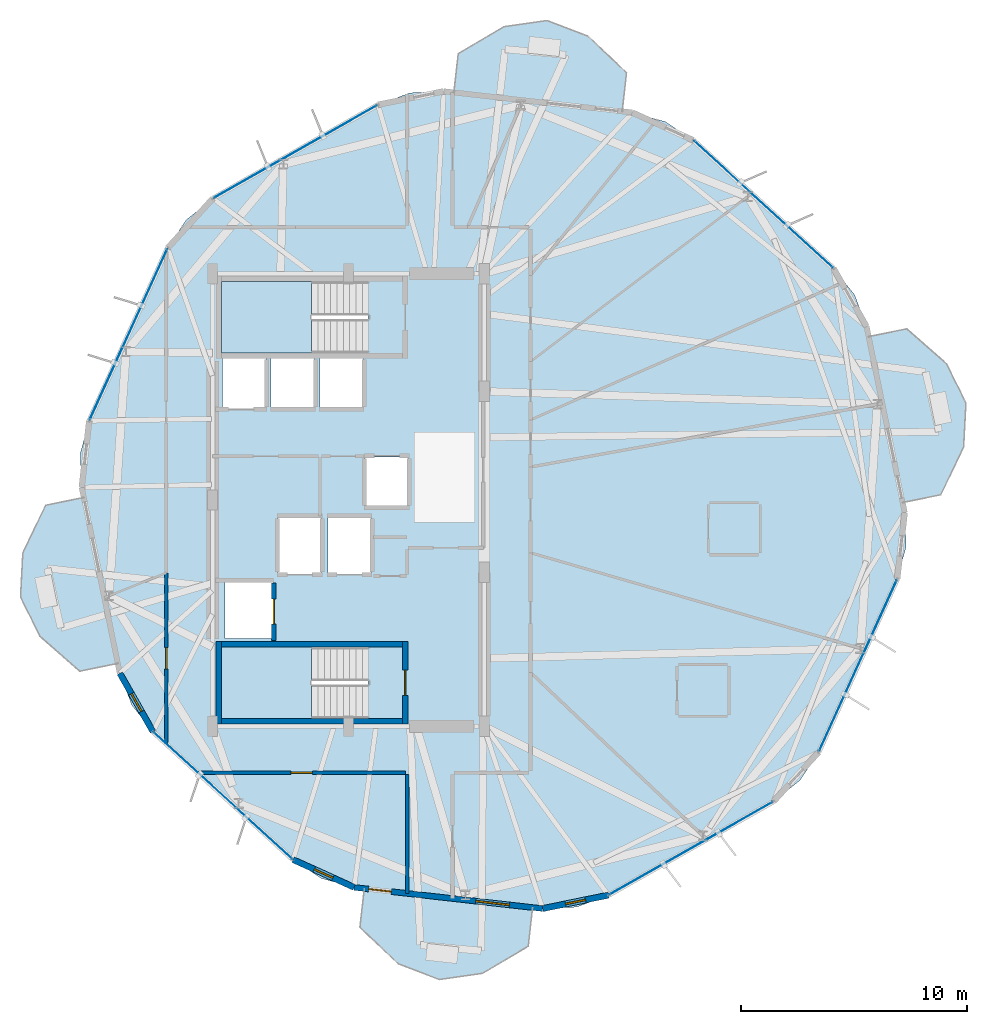
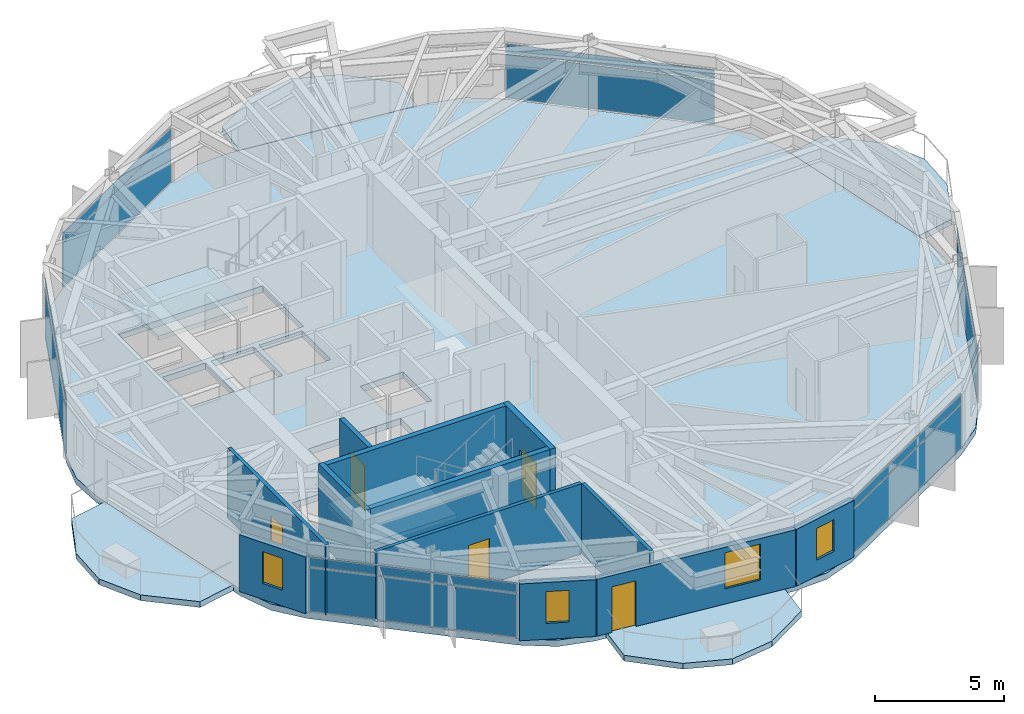
# One storey, part 16 of 22: 12 plates, 12 walls, 7 slabs, 5 doors, 4 windows, 9 openings, 8 elements without a shape of their own.
"""IFC4 building model written with IfcOpenShell, lengths in metres."""

from ifc_helpers import new_model, si_unit, direction, frame, frame_2d, origin, origin_2d, place, context, subcontext, project, spatial, polyline, rectangle, outline, extrude, material, layer, layer_set, type_object, element, fill, aggregate, save


model = new_model("IFC4")

# Units and contexts
model_context = context("Model", 3, precision=1e-05, world=origin(), true_north=direction((0.0, 1.0)))
body_context = subcontext(model_context, "Body", "Model", "MODEL_VIEW")
ifc_project = project(units=[si_unit("LENGTHUNIT", "METRE"), si_unit("AREAUNIT", "SQUARE_METRE"), si_unit("VOLUMEUNIT", "CUBIC_METRE"), si_unit("PLANEANGLEUNIT", "RADIAN"), si_unit("MASSUNIT", "GRAM", prefix="KILO")], contexts=[model_context])

# Site, building, storey
site_placement = place(None, origin())
site = spatial("IfcSite", under=ifc_project, at=site_placement, CompositionType="ELEMENT")
building_placement = place(site_placement, origin())
building = spatial("IfcBuilding", under=site, at=building_placement, Name="Soratama Intermodal Tower", CompositionType="ELEMENT")
storey_placement = place(building_placement, frame((0.0, 0.0, 142.60009765625)))
storey = spatial("IfcBuildingStorey", under=building, at=storey_placement, Name="L34", CompositionType="ELEMENT", Elevation=142.60009765625)

# Curtain wall, plates
ifc_material_1 = material(Name="Double-glazed aluminium curtain wall", Category="aluminium")
ifc_layer_1 = layer(ifc_material_1, 0.159912109375)
ifc_layer_set_1 = layer_set([ifc_layer_1], Name="Double-glazed aluminium curtain wall")
curtain_wall_type = type_object("IfcCurtainWallType", Name="CW-SYS-4", PredefinedType="NOTDEFINED", material=ifc_layer_set_1)
curtain_wall_1_placement = place(storey_placement, origin())
curtain_wall_1 = element("IfcCurtainWall", 1, at=curtain_wall_1_placement, inside=storey, type_object=curtain_wall_type, Name="L34 Faceted Curtain Wall F01", PredefinedType="NOTDEFINED")
ifc_material_2 = material(Name="Low-E laminated double glazing", Category="glass")
ifc_layer_2 = layer(ifc_material_2, 0.02392578125)
ifc_layer_set_2 = layer_set([ifc_layer_2], Name="Low-E laminated double glazing")
plate_type = type_object("IfcPlateType", Name="PT-CWP-4", PredefinedType="CURTAIN_PANEL", material=ifc_layer_set_2)
plate_1_placement = place(storey_placement, frame((56.940185546875, 38.067138671875, 0.059814453125), z_axis=(0.0, 0.0, 1.0), x_axis=(-0.738220738678, 0.674559219776, 0.0)))
plate_1 = element("IfcPlate", 2, at=plate_1_placement, type_object=plate_type, Name="CW-4 panel 1.1", PredefinedType="CURTAIN_PANEL", context=body_context, shape_type="SweptSolid", body=[
    extrude(rectangle(XDim=8.263427734375, YDim=0.028076171875, at=origin_2d()), origin(), (0.0, 0.0, 1.0), 2.06005859375),
])
plate_2_placement = place(storey_placement, frame((56.940185546875, 38.067138671875, 2.179931640625), z_axis=(0.0, 0.0, 1.0), x_axis=(-0.738220738678, 0.674559219776, 0.0)))
plate_2 = element("IfcPlate", 3, at=plate_2_placement, type_object=plate_type, Name="CW-4 panel 1.2", PredefinedType="CURTAIN_PANEL", context=body_context, shape_type="SweptSolid", body=[
    extrude(rectangle(XDim=8.263427734375, YDim=0.028076171875, at=origin_2d()), origin(), (0.0, 0.0, 1.0), 0.43896484375),
])
aggregate(curtain_wall_1, [plate_1, plate_2])

curtain_wall_2_placement = place(storey_placement, origin())
curtain_wall_2 = element("IfcCurtainWall", 4, at=curtain_wall_2_placement, inside=storey, type_object=curtain_wall_type, Name="L34 Faceted Curtain Wall F03", PredefinedType="NOTDEFINED")
plate_3_placement = place(storey_placement, frame((36.26220703125, 40.393798828125, 0.059814453125), z_axis=(0.0, 0.0, 1.0), x_axis=(-0.869666539357, -0.493639656351, 0.0)))
plate_3 = element("IfcPlate", 5, at=plate_3_placement, type_object=plate_type, Name="CW-4 panel 1.1", PredefinedType="CURTAIN_PANEL", context=body_context, shape_type="SweptSolid", body=[
    extrude(rectangle(XDim=8.263427734375, YDim=0.028076171875, at=origin_2d()), origin(), (0.0, 0.0, 1.0), 2.06005859375),
])
plate_4_placement = place(storey_placement, frame((36.26220703125, 40.393798828125, 2.179931640625), z_axis=(0.0, 0.0, 1.0), x_axis=(-0.869666539357, -0.493639656351, 0.0)))
plate_4 = element("IfcPlate", 6, at=plate_4_placement, type_object=plate_type, Name="CW-4 panel 1.2", PredefinedType="CURTAIN_PANEL", context=body_context, shape_type="SweptSolid", body=[
    extrude(rectangle(XDim=8.263427734375, YDim=0.028076171875, at=origin_2d()), origin(), (0.0, 0.0, 1.0), 0.43896484375),
])
aggregate(curtain_wall_2, [plate_3, plate_4])

curtain_wall_3_placement = place(storey_placement, origin())
curtain_wall_3 = element("IfcCurtainWall", 7, at=curtain_wall_3_placement, inside=storey, type_object=curtain_wall_type, Name="L34 Faceted Curtain Wall F04", PredefinedType="NOTDEFINED")
plate_5_placement = place(storey_placement, frame((28.8828125, 32.31787109375, 0.059814453125), z_axis=(0.0, 0.0, 1.0), x_axis=(-0.413424551218, -0.910538379449, 0.0)))
plate_5 = element("IfcPlate", 8, at=plate_5_placement, type_object=plate_type, Name="CW-4 panel 1.1", PredefinedType="CURTAIN_PANEL", context=body_context, shape_type="SweptSolid", body=[
    extrude(rectangle(XDim=8.263427734375, YDim=0.028076171875, at=origin_2d()), origin(), (0.0, 0.0, 1.0), 2.06005859375),
])
plate_6_placement = place(storey_placement, frame((28.8828125, 32.31787109375, 2.179931640625), z_axis=(0.0, 0.0, 1.0), x_axis=(-0.413424551218, -0.910538379449, 0.0)))
plate_6 = element("IfcPlate", 9, at=plate_6_placement, type_object=plate_type, Name="CW-4 panel 1.2", PredefinedType="CURTAIN_PANEL", context=body_context, shape_type="SweptSolid", body=[
    extrude(rectangle(XDim=8.263427734375, YDim=0.028076171875, at=origin_2d()), origin(), (0.0, 0.0, 1.0), 0.43896484375),
])
aggregate(curtain_wall_3, [plate_5, plate_6])

curtain_wall_4_placement = place(storey_placement, origin())
curtain_wall_4 = element("IfcCurtainWall", 10, at=curtain_wall_4_placement, inside=storey, type_object=curtain_wall_type, Name="L34 Faceted Curtain Wall F06", PredefinedType="NOTDEFINED")
plate_7_placement = place(storey_placement, frame((33.059814453125, 11.932861328125, 0.059814453125), z_axis=(0.0, 0.0, 1.0), x_axis=(0.738220738678, -0.674559219776, 0.0)))
plate_7 = element("IfcPlate", 11, at=plate_7_placement, type_object=plate_type, Name="CW-4 panel 1.1", PredefinedType="CURTAIN_PANEL", context=body_context, shape_type="SweptSolid", body=[
    extrude(rectangle(XDim=8.263427734375, YDim=0.028076171875, at=origin_2d()), origin(), (0.0, 0.0, 1.0), 2.06005859375),
])
plate_8_placement = place(storey_placement, frame((33.059814453125, 11.932861328125, 2.179931640625), z_axis=(0.0, 0.0, 1.0), x_axis=(0.738220738678, -0.674559219776, 0.0)))
plate_8 = element("IfcPlate", 12, at=plate_8_placement, type_object=plate_type, Name="CW-4 panel 1.2", PredefinedType="CURTAIN_PANEL", context=body_context, shape_type="SweptSolid", body=[
    extrude(rectangle(XDim=8.263427734375, YDim=0.028076171875, at=origin_2d()), origin(), (0.0, 0.0, 1.0), 0.43896484375),
])
aggregate(curtain_wall_4, [plate_7, plate_8])

curtain_wall_5_placement = place(storey_placement, origin())
curtain_wall_5 = element("IfcCurtainWall", 13, at=curtain_wall_5_placement, inside=storey, type_object=curtain_wall_type, Name="L34 Faceted Curtain Wall F08", PredefinedType="NOTDEFINED")
plate_9_placement = place(storey_placement, frame((53.73779296875, 9.606201171875, 0.059814453125), z_axis=(0.0, 0.0, 1.0), x_axis=(0.869666539357, 0.493639656351, 0.0)))
plate_9 = element("IfcPlate", 14, at=plate_9_placement, type_object=plate_type, Name="CW-4 panel 1.1", PredefinedType="CURTAIN_PANEL", context=body_context, shape_type="SweptSolid", body=[
    extrude(rectangle(XDim=8.263427734375, YDim=0.028076171875, at=origin_2d()), origin(), (0.0, 0.0, 1.0), 2.06005859375),
])
plate_10_placement = place(storey_placement, frame((53.73779296875, 9.606201171875, 2.179931640625), z_axis=(0.0, 0.0, 1.0), x_axis=(0.869666539357, 0.493639656351, 0.0)))
plate_10 = element("IfcPlate", 15, at=plate_10_placement, type_object=plate_type, Name="CW-4 panel 1.2", PredefinedType="CURTAIN_PANEL", context=body_context, shape_type="SweptSolid", body=[
    extrude(rectangle(XDim=8.263427734375, YDim=0.028076171875, at=origin_2d()), origin(), (0.0, 0.0, 1.0), 0.43896484375),
])
aggregate(curtain_wall_5, [plate_9, plate_10])

curtain_wall_6_placement = place(storey_placement, origin())
curtain_wall_6 = element("IfcCurtainWall", 16, at=curtain_wall_6_placement, inside=storey, type_object=curtain_wall_type, Name="L34 Faceted Curtain Wall F09", PredefinedType="NOTDEFINED")
plate_11_placement = place(storey_placement, frame((61.1171875, 17.68212890625, 0.059814453125), z_axis=(0.0, 0.0, 1.0), x_axis=(0.413424551218, 0.910538379449, 0.0)))
plate_11 = element("IfcPlate", 17, at=plate_11_placement, type_object=plate_type, Name="CW-4 panel 1.1", PredefinedType="CURTAIN_PANEL", context=body_context, shape_type="SweptSolid", body=[
    extrude(rectangle(XDim=8.263427734375, YDim=0.028076171875, at=origin_2d()), origin(), (0.0, 0.0, 1.0), 2.06005859375),
])
plate_12_placement = place(storey_placement, frame((61.1171875, 17.68212890625, 2.179931640625), z_axis=(0.0, 0.0, 1.0), x_axis=(0.413424551218, 0.910538379449, 0.0)))
plate_12 = element("IfcPlate", 18, at=plate_12_placement, type_object=plate_type, Name="CW-4 panel 1.2", PredefinedType="CURTAIN_PANEL", context=body_context, shape_type="SweptSolid", body=[
    extrude(rectangle(XDim=8.263427734375, YDim=0.028076171875, at=origin_2d()), origin(), (0.0, 0.0, 1.0), 0.43896484375),
])
aggregate(curtain_wall_6, [plate_11, plate_12])

# Slabs
ifc_material_3 = material(Name="Concrete f'c 42 MPa", Category="concrete")
ifc_layer_3 = layer(ifc_material_3, 0.27001953125)
ifc_layer_set_3 = layer_set([ifc_layer_3], Name="Concrete f'c 42 MPa")
slab_type_1 = type_object("IfcSlabType", Name="SL-EXT-BAL1", PredefinedType="FLOOR", material=ifc_layer_set_3)
slab_1_placement = place(storey_placement, frame((0.0, 0.0, -0.27001953125)))
element("IfcSlab", 19, at=slab_1_placement, inside=storey, type_object=slab_type_1, Name="L34 Planted Balcony East 1", PredefinedType="FLOOR", context=body_context, shape_type="SweptSolid", body=[
    extrude(outline(polyline([(63.091552734375, 24.8876953125), (61.58935546875, 32.21875), (63.2744140625, 32.56396484375), (65.036376953125, 31.015380859375), (65.88671875, 29.27978515625), (65.787353515625, 27.349609375), (64.776611328125, 25.23291015625), (63.091552734375, 24.8876953125)])), origin(), (0.0, 0.0, 1.0), 0.27001953125),
])
slab_2_placement = place(storey_placement, frame((0.0, 0.0, -0.27001953125)))
element("IfcSlab", 20, at=slab_2_placement, inside=storey, type_object=slab_type_1, Name="L34 Planted Balcony North 2", PredefinedType="FLOOR", context=body_context, shape_type="SweptSolid", body=[
    extrude(outline(polyline([(50.697509765625, 42.17138671875), (43.260986328125, 43.00830078125), (43.453369140625, 44.71728515625), (45.470703125, 45.91455078125), (47.384033203125, 46.18701171875), (49.18896484375, 45.49609375), (50.889892578125, 43.880615234375), (50.697509765625, 42.17138671875)])), origin(), (0.0, 0.0, 1.0), 0.27001953125),
])
slab_3_placement = place(storey_placement, frame((0.0, 0.0, -0.27001953125)))
element("IfcSlab", 21, at=slab_3_placement, inside=storey, type_object=slab_type_1, Name="L34 Planted Balcony West 3", PredefinedType="FLOOR", context=body_context, shape_type="SweptSolid", body=[
    extrude(outline(polyline([(26.908447265625, 25.1123046875), (28.41064453125, 17.78125), (26.7255859375, 17.43603515625), (24.963623046875, 18.984619140625), (24.11328125, 20.72021484375), (24.212646484375, 22.650390625), (25.223388671875, 24.76708984375), (26.908447265625, 25.1123046875)])), origin(), (0.0, 0.0, 1.0), 0.27001953125),
])
slab_4_placement = place(storey_placement, frame((0.0, 0.0, -0.27001953125)))
element("IfcSlab", 22, at=slab_4_placement, inside=storey, type_object=slab_type_1, Name="L34 Planted Balcony South 4", PredefinedType="FLOOR", context=body_context, shape_type="SweptSolid", body=[
    extrude(outline(polyline([(39.302490234375, 7.82861328125), (46.739013671875, 6.99169921875), (46.546630859375, 5.28271484375), (44.529296875, 4.08544921875), (42.615966796875, 3.81298828125), (40.81103515625, 4.50390625), (39.110107421875, 6.119384765625), (39.302490234375, 7.82861328125)])), origin(), (0.0, 0.0, 1.0), 0.27001953125),
])

# Stair, slab
ifc_material_4 = material(Name="Concrete f'c 42 MPa", Category="concrete")
stair_type = type_object("IfcStairType", Name="ST-CORE-DOGLEG", PredefinedType="HALF_TURN_STAIR", material=ifc_material_4)
stair_1_placement = place(storey_placement, origin())
stair_1 = element("IfcStair", 23, at=stair_1_placement, inside=storey, type_object=stair_type, Name="L34 ST-1", PredefinedType="HALF_TURN_STAIR")
ifc_material_5 = material(Name="Concrete f'c 42 MPa", Category="concrete")
ifc_layer_4 = layer(ifc_material_5, 0.219970703125)
ifc_layer_set_4 = layer_set([ifc_layer_4], Name="Concrete f'c 42 MPa")
slab_type_2 = type_object("IfcSlabType", Name="SL-STAIR-LAND", PredefinedType="LANDING", material=ifc_layer_set_4)
slab_5_placement = place(storey_placement, frame((0.0, 0.0, 1.599853515625)))
slab_5 = element("IfcSlab", 24, at=slab_5_placement, type_object=slab_type_2, Name="ST-1 landing 1", PredefinedType="LANDING", context=body_context, shape_type="SweptSolid", body=[
    extrude(outline(polyline([(36.97998046875, 18.5), (33.0, 18.5), (33.0, 15.35009765625), (36.97998046875, 15.35009765625), (36.97998046875, 18.5)])), origin(), (0.0, 0.0, 1.0), 0.199951171875),
])
aggregate(stair_1, [slab_5])

stair_2_placement = place(storey_placement, origin())
stair_2 = element("IfcStair", 25, at=stair_2_placement, inside=storey, type_object=stair_type, Name="L34 ST-2", PredefinedType="HALF_TURN_STAIR")
slab_6_placement = place(storey_placement, frame((0.0, 0.0, 1.599853515625)))
slab_6 = element("IfcSlab", 26, at=slab_6_placement, type_object=slab_type_2, Name="ST-2 landing 1", PredefinedType="LANDING", context=body_context, shape_type="SweptSolid", body=[
    extrude(outline(polyline([(36.97998046875, 34.64990234375), (33.0, 34.64990234375), (33.0, 31.5), (36.97998046875, 31.5), (36.97998046875, 34.64990234375)])), origin(), (0.0, 0.0, 1.0), 0.199951171875),
])
aggregate(stair_2, [slab_6])

# Slab
ifc_material_6 = material(Name="Concrete f'c 42 MPa", Category="concrete")
ifc_layer_5 = layer(ifc_material_6, 0.280029296875)
ifc_layer_set_5 = layer_set([ifc_layer_5], Name="Concrete f'c 42 MPa")
slab_type_3 = type_object("IfcSlabType", Name="SL-TWR-280", PredefinedType="FLOOR", material=ifc_layer_set_5)
slab_7_placement = place(storey_placement, frame((0.0, 0.0, -0.300048828125)))
element("IfcSlab", 27, at=slab_7_placement, inside=storey, type_object=slab_type_3, Name="L34 Structural Floor Slab", PredefinedType="FLOOR", context=body_context, shape_type="SweptSolid", body=[
    extrude(outline(polyline([(61.4990234375, 32.65966796875), (60.97119140625, 34.0654296875), (60.03466796875, 35.239501953125), (53.845703125, 40.89453125), (52.59228515625, 41.7216796875), (51.144775390625, 42.12109375), (42.813720703125, 43.05859375), (41.3134765625, 42.990966796875), (39.90771484375, 42.462890625), (32.61669921875, 38.32470703125), (31.44287109375, 37.38818359375), (30.61572265625, 36.134521484375), (27.14990234375, 28.501220703125), (26.75048828125, 27.053466796875), (26.818115234375, 25.55322265625), (28.5009765625, 17.34033203125), (29.02880859375, 15.9345703125), (29.96533203125, 14.760498046875), (36.154296875, 9.10546875), (37.40771484375, 8.2783203125), (38.855224609375, 7.87890625), (47.186279296875, 6.94140625), (48.6865234375, 7.009033203125), (50.09228515625, 7.537109375), (57.38330078125, 11.67529296875), (58.55712890625, 12.61181640625), (59.38427734375, 13.865478515625), (62.85009765625, 21.498779296875), (63.24951171875, 22.946533203125), (63.181884765625, 24.44677734375), (61.4990234375, 32.65966796875)]), holes=[polyline([(33.0, 18.5), (33.0, 15.35009765625), (39.47509765625, 15.35009765625), (39.47509765625, 18.5), (33.0, 18.5)]), polyline([(35.260009765625, 21.409912109375), (33.139892578125, 21.409912109375), (33.139892578125, 18.889892578125), (35.260009765625, 18.889892578125), (35.260009765625, 21.409912109375)]), polyline([(37.409912109375, 24.260009765625), (35.489990234375, 24.260009765625), (35.489990234375, 21.739990234375), (37.409912109375, 21.739990234375), (37.409912109375, 24.260009765625)]), polyline([(39.610107421875, 24.260009765625), (37.68994140625, 24.260009765625), (37.68994140625, 21.739990234375), (39.610107421875, 21.739990234375), (39.610107421875, 24.260009765625)]), polyline([(41.260009765625, 26.909912109375), (39.340087890625, 26.909912109375), (39.340087890625, 24.68994140625), (41.260009765625, 24.68994140625), (41.260009765625, 26.909912109375)]), polyline([(34.9599609375, 31.260009765625), (33.0400390625, 31.260009765625), (33.0400390625, 29.0400390625), (34.9599609375, 29.0400390625), (34.9599609375, 31.260009765625)]), polyline([(37.110107421875, 31.260009765625), (35.18994140625, 31.260009765625), (35.18994140625, 29.0400390625), (37.110107421875, 29.0400390625), (37.110107421875, 31.260009765625)]), polyline([(39.260009765625, 29.0400390625), (39.260009765625, 31.260009765625), (37.340087890625, 31.260009765625), (37.340087890625, 29.0400390625), (39.260009765625, 29.0400390625)]), polyline([(39.47509765625, 34.64990234375), (33.0, 34.64990234375), (33.0, 31.5), (39.47509765625, 31.5), (39.47509765625, 34.64990234375)])]), origin(), (0.0, 0.0, 1.0), 0.300048828125),
])

# Wall, openings, door, window
ifc_material_7 = material(Name="Concrete f'c 42 MPa", Category="concrete")
ifc_layer_6 = layer(ifc_material_7, 0.25)
ifc_layer_set_6 = layer_set([ifc_layer_6], Name="Concrete f'c 42 MPa")
wall_type_1 = type_object("IfcWallType", Name="EW-BAL-250", PredefinedType="SOLIDWALL", material=ifc_layer_set_6)
wall_1_placement = place(storey_placement, frame((38.855224609375, 7.87890625, 0.0), z_axis=(0.0, 0.0, 1.0), x_axis=(0.993727918764, -0.111824968001, 0.0)))
wall_1 = element("IfcWall", 28, at=wall_1_placement, inside=storey, type_object=wall_type_1, Name="L34 Terrace Wall F07", PredefinedType="SOLIDWALL", context=body_context, shape_type="SweptSolid", body=[
    extrude(rectangle(XDim=8.383544921875, YDim=0.25, at=frame_2d((4.19189453125, 0.0))), origin(), (0.0, 0.0, 1.0), 2.678955078125),
])
opening_1_placement = place(wall_1_placement, frame((0.64990234375, 0.0, 0.0)))
opening_1 = element("IfcOpeningElement", 29, at=opening_1_placement, cuts=wall_1, Name="Opening ED-2", PredefinedType="OPENING", context=body_context, shape_type="SweptSolid", body=[
    extrude(rectangle(XDim=1.0, YDim=2.14990234375, at=frame_2d((0.5, 1.074951171875))), frame((0.0, 0.135009765625, 0.0), z_axis=(0.0, -1.0, 0.0), x_axis=(1.0, 0.0, 0.0)), (0.0, 0.0, 1.0), 0.27001953125),
])
opening_2_placement = place(wall_1_placement, frame((5.405029296875, 0.0, 0.719970703125)))
opening_2 = element("IfcOpeningElement", 30, at=opening_2_placement, cuts=wall_1, Name="Opening WN-1", PredefinedType="OPENING", context=body_context, shape_type="SweptSolid", body=[
    extrude(rectangle(XDim=1.5, YDim=1.699951171875, at=frame_2d((0.75, 0.85009765625))), frame((0.0, 0.135009765625, 0.0), z_axis=(0.0, -1.0, 0.0), x_axis=(1.0, 0.0, 0.0)), (0.0, 0.0, 1.0), 0.27001953125),
])
ifc_material_8 = material(Name="Double-glazed aluminium door", Category="aluminium")
door_type_1 = type_object("IfcDoorType", Name="DR-BAL-1000", OperationType="NOTDEFINED", PredefinedType="DOOR", material=ifc_material_8)
door_1_placement = place(opening_1_placement, origin())
door_1 = element("IfcDoor", 31, at=door_1_placement, inside=storey, type_object=door_type_1, Name="L34 Balcony Door F07", OperationType="SINGLE_SWING_LEFT", OverallHeight=2.14990234375, OverallWidth=1.0, PredefinedType="DOOR", context=body_context, shape_type="SweptSolid", body=[
    extrude(rectangle(XDim=1.0, YDim=2.14990234375, at=frame_2d((0.5, 1.074951171875))), frame((0.0, 0.02490234375, 0.0), z_axis=(0.0, -1.0, 0.0), x_axis=(1.0, 0.0, 0.0)), (0.0, 0.0, 1.0), 0.050048828125),
])
fill(opening_1, door_1)
ifc_material_9 = material(Name="Double-glazed aluminium window", Category="aluminium")
window_type_1 = type_object("IfcWindowType", Name="WN-FAC-1500", PartitioningType="SINGLE_PANEL", PredefinedType="WINDOW", material=ifc_material_9)
window_1_placement = place(opening_2_placement, origin())
window_1 = element("IfcWindow", 32, at=window_1_placement, inside=storey, type_object=window_type_1, Name="L34 Window B F07", OverallHeight=1.699951171875, OverallWidth=1.5, PartitioningType="SINGLE_PANEL", PredefinedType="WINDOW", context=body_context, shape_type="SweptSolid", body=[
    extrude(rectangle(XDim=1.5, YDim=1.699951171875, at=frame_2d((0.75, 0.85009765625))), frame((0.0, 0.030029296875, 0.0), z_axis=(0.0, -1.0, 0.0), x_axis=(1.0, 0.0, 0.0)), (0.0, 0.0, 1.0), 0.06005859375),
])
fill(opening_2, window_1)

# Wall, opening, window
ifc_material_10 = material(Name="Concrete f'c 42 MPa", Category="concrete")
ifc_layer_7 = layer(ifc_material_10, 0.27001953125)
ifc_layer_set_7 = layer_set([ifc_layer_7], Name="Concrete f'c 42 MPa")
wall_type_2 = type_object("IfcWallType", Name="EW-CRN-270", PredefinedType="SOLIDWALL", material=ifc_layer_set_7)
wall_2_placement = place(storey_placement, frame((28.5009765625, 17.34033203125, 0.0), z_axis=(0.0, 0.0, 1.0), x_axis=(0.493637484398, -0.869667772196, 0.0)))
wall_2 = element("IfcWall", 33, at=wall_2_placement, inside=storey, type_object=wall_type_2, Name="L34 Corner Closure Wall 05", PredefinedType="SOLIDWALL", context=body_context, shape_type="SweptSolid", body=[
    extrude(rectangle(XDim=2.966552734375, YDim=0.27001953125, at=frame_2d((1.4833984375, 0.0))), origin(), (0.0, 0.0, 1.0), 2.678955078125),
])
opening_3_placement = place(wall_2_placement, frame((1.033203125, 0.0, 0.75)))
opening_3 = element("IfcOpeningElement", 34, at=opening_3_placement, cuts=wall_2, Name="Opening WN-6", PredefinedType="OPENING", context=body_context, shape_type="SweptSolid", body=[
    extrude(rectangle(XDim=0.89990234375, YDim=1.5, at=frame_2d((0.449951171875, 0.75))), frame((0.0, 0.14501953125, 0.0), z_axis=(0.0, -1.0, 0.0), x_axis=(1.0, 0.0, 0.0)), (0.0, 0.0, 1.0), 0.2900390625),
])
ifc_material_11 = material(Name="Double-glazed aluminium window", Category="aluminium")
window_type_2 = type_object("IfcWindowType", Name="WN-FAC-900", PartitioningType="SINGLE_PANEL", PredefinedType="WINDOW", material=ifc_material_11)
window_2_placement = place(opening_3_placement, origin())
window_2 = element("IfcWindow", 35, at=window_2_placement, inside=storey, type_object=window_type_2, Name="L34 Corner Window 05", OverallHeight=1.5, OverallWidth=0.89990234375, PartitioningType="SINGLE_PANEL", PredefinedType="WINDOW", context=body_context, shape_type="SweptSolid", body=[
    extrude(rectangle(XDim=0.89990234375, YDim=1.5, at=frame_2d((0.449951171875, 0.75))), frame((0.0, 0.030029296875, 0.0), z_axis=(0.0, -1.0, 0.0), x_axis=(1.0, 0.0, 0.0)), (0.0, 0.0, 1.0), 0.06005859375),
])
fill(opening_3, window_2)

wall_3_placement = place(storey_placement, frame((36.154296875, 9.10546875, 0.0), z_axis=(0.0, 0.0, 1.0), x_axis=(0.910510169674, -0.413486675625, 0.0)))
wall_3 = element("IfcWall", 36, at=wall_3_placement, inside=storey, type_object=wall_type_2, Name="L34 Corner Closure Wall 06", PredefinedType="SOLIDWALL", context=body_context, shape_type="SweptSolid", body=[
    extrude(rectangle(XDim=2.96630859375, YDim=0.27001953125, at=frame_2d((1.483154296875, 0.0))), origin(), (0.0, 0.0, 1.0), 2.678955078125),
])
opening_4_placement = place(wall_3_placement, frame((1.033203125, 0.0, 0.75)))
opening_4 = element("IfcOpeningElement", 37, at=opening_4_placement, cuts=wall_3, Name="Opening WN-6", PredefinedType="OPENING", context=body_context, shape_type="SweptSolid", body=[
    extrude(rectangle(XDim=0.89990234375, YDim=1.5, at=frame_2d((0.449951171875, 0.75))), frame((0.0, 0.14501953125, 0.0), z_axis=(0.0, -1.0, 0.0), x_axis=(1.0, 0.0, 0.0)), (0.0, 0.0, 1.0), 0.2900390625),
])
window_3_placement = place(opening_4_placement, origin())
window_3 = element("IfcWindow", 38, at=window_3_placement, inside=storey, type_object=window_type_2, Name="L34 Corner Window 06", OverallHeight=1.5, OverallWidth=0.89990234375, PartitioningType="SINGLE_PANEL", PredefinedType="WINDOW", context=body_context, shape_type="SweptSolid", body=[
    extrude(rectangle(XDim=0.89990234375, YDim=1.5, at=frame_2d((0.449951171875, 0.75))), frame((0.0, 0.030029296875, 0.0), z_axis=(0.0, -1.0, 0.0), x_axis=(1.0, 0.0, 0.0)), (0.0, 0.0, 1.0), 0.06005859375),
])
fill(opening_4, window_3)

wall_4_placement = place(storey_placement, frame((47.186279296875, 6.94140625, 0.0), z_axis=(0.0, 0.0, 1.0), x_axis=(0.97962927764, 0.200814537297, 0.0)))
wall_4 = element("IfcWall", 39, at=wall_4_placement, inside=storey, type_object=wall_type_2, Name="L34 Corner Closure Wall 07", PredefinedType="SOLIDWALL", context=body_context, shape_type="SweptSolid", body=[
    extrude(rectangle(XDim=2.966552734375, YDim=0.27001953125, at=frame_2d((1.4833984375, 0.0))), origin(), (0.0, 0.0, 1.0), 2.678955078125),
])
opening_5_placement = place(wall_4_placement, frame((1.033203125, 0.0, 0.75)))
opening_5 = element("IfcOpeningElement", 40, at=opening_5_placement, cuts=wall_4, Name="Opening WN-6", PredefinedType="OPENING", context=body_context, shape_type="SweptSolid", body=[
    extrude(rectangle(XDim=0.89990234375, YDim=1.5, at=frame_2d((0.449951171875, 0.75))), frame((0.0, 0.14501953125, 0.0), z_axis=(0.0, -1.0, 0.0), x_axis=(1.0, 0.0, 0.0)), (0.0, 0.0, 1.0), 0.2900390625),
])
window_4_placement = place(opening_5_placement, origin())
window_4 = element("IfcWindow", 41, at=window_4_placement, inside=storey, type_object=window_type_2, Name="L34 Corner Window 07", OverallHeight=1.5, OverallWidth=0.89990234375, PartitioningType="SINGLE_PANEL", PredefinedType="WINDOW", context=body_context, shape_type="SweptSolid", body=[
    extrude(rectangle(XDim=0.89990234375, YDim=1.5, at=frame_2d((0.449951171875, 0.75))), frame((0.0, 0.030029296875, 0.0), z_axis=(0.0, -1.0, 0.0), x_axis=(1.0, 0.0, 0.0)), (0.0, 0.0, 1.0), 0.06005859375),
])
fill(opening_5, window_4)

# Wall, opening, door
ifc_material_12 = material(Name="Fire-rated gypsum stud partition", Category="concrete")
ifc_layer_8 = layer(ifc_material_12, 0.159912109375)
ifc_layer_set_8 = layer_set([ifc_layer_8], Name="Fire-rated gypsum stud partition")
wall_type_3 = type_object("IfcWallType", Name="IW-PART-R160", PredefinedType="PARTITIONING", material=ifc_layer_set_8)
wall_5_placement = place(storey_placement, frame((41.1298828125, 12.949951171875, 0.0), z_axis=(0.0, 0.0, 1.0), x_axis=(-1.0, 0.0, 0.0)))
wall_5 = element("IfcWall", 42, at=wall_5_placement, inside=storey, type_object=wall_type_3, Name="L34 Partition W-L34-TP007", PredefinedType="PARTITIONING", context=body_context, shape_type="SweptSolid", body=[
    extrude(rectangle(XDim=9.182861328125, YDim=0.159912109375, at=frame_2d((4.59130859375, 0.0))), origin(), (0.0, 0.0, 1.0), 3.2998046875),
])
opening_6_placement = place(wall_5_placement, frame((4.116943359375, 0.0, 0.0)))
opening_6 = element("IfcOpeningElement", 43, at=opening_6_placement, cuts=wall_5, Name="Opening ID-3", PredefinedType="OPENING", context=body_context, shape_type="SweptSolid", body=[
    extrude(rectangle(XDim=0.949951171875, YDim=2.14990234375, at=frame_2d((0.47509765625, 1.074951171875))), frame((0.0, 0.08984375, 0.0), z_axis=(0.0, -1.0, 0.0), x_axis=(1.0, 0.0, 0.0)), (0.0, 0.0, 1.0), 0.179931640625),
])
ifc_material_13 = material(Name="Solid hardwood acoustic door", Category="wood")
door_type_2 = type_object("IfcDoorType", Name="DR-ROOM-950", OperationType="NOTDEFINED", PredefinedType="DOOR", material=ifc_material_13)
door_2_placement = place(opening_6_placement, origin())
door_2 = element("IfcDoor", 44, at=door_2_placement, inside=storey, type_object=door_type_2, Name="L34 Door D-L34-TP002", OperationType="SINGLE_SWING_LEFT", OverallHeight=2.14990234375, OverallWidth=0.949951171875, PredefinedType="DOOR", context=body_context, shape_type="SweptSolid", body=[
    extrude(rectangle(XDim=0.949951171875, YDim=2.14990234375, at=frame_2d((0.47509765625, 1.074951171875))), frame((0.0, 0.02490234375, 0.0), z_axis=(0.0, -1.0, 0.0), x_axis=(1.0, 0.0, 0.0)), (0.0, 0.0, 1.0), 0.050048828125),
])
fill(opening_6, door_2)

wall_6_placement = place(storey_placement, frame((30.550048828125, 14.22607421875, 0.0), z_axis=(0.0, 0.0, 1.0), x_axis=(0.0, 1.0, 0.0)))
wall_6 = element("IfcWall", 45, at=wall_6_placement, inside=storey, type_object=wall_type_3, Name="L34 Partition W-L34-TP009", PredefinedType="PARTITIONING", context=body_context, shape_type="SweptSolid", body=[
    extrude(rectangle(XDim=7.552001953125, YDim=0.159912109375, at=frame_2d((3.77587890625, 0.0))), origin(), (0.0, 0.0, 1.0), 3.2998046875),
])
opening_7_placement = place(wall_6_placement, frame((3.301025390625, 0.0, 0.0)))
opening_7 = element("IfcOpeningElement", 46, at=opening_7_placement, cuts=wall_6, Name="Opening ID-3", PredefinedType="OPENING", context=body_context, shape_type="SweptSolid", body=[
    extrude(rectangle(XDim=0.949951171875, YDim=2.14990234375, at=frame_2d((0.47509765625, 1.074951171875))), frame((0.0, 0.08984375, 0.0), z_axis=(0.0, -1.0, 0.0), x_axis=(1.0, 0.0, 0.0)), (0.0, 0.0, 1.0), 0.179931640625),
])
door_3_placement = place(opening_7_placement, origin())
door_3 = element("IfcDoor", 47, at=door_3_placement, inside=storey, type_object=door_type_2, Name="L34 Door D-L34-TP003", OperationType="SINGLE_SWING_RIGHT", OverallHeight=2.14990234375, OverallWidth=0.949951171875, PredefinedType="DOOR", context=body_context, shape_type="SweptSolid", body=[
    extrude(rectangle(XDim=0.949951171875, YDim=2.14990234375, at=frame_2d((0.47509765625, 1.074951171875))), frame((0.0, 0.02490234375, 0.0), z_axis=(0.0, -1.0, 0.0), x_axis=(1.0, 0.0, 0.0)), (0.0, 0.0, 1.0), 0.050048828125),
])
fill(opening_7, door_3)

# Wall
wall_7_placement = place(storey_placement, frame((41.199951171875, 7.614990234375, 0.0), z_axis=(0.0, 0.0, 1.0), x_axis=(0.0, 1.0, 0.0)))
element("IfcWall", 48, at=wall_7_placement, inside=storey, type_object=wall_type_3, Name="L34 Partition W-L34-TP016", PredefinedType="PARTITIONING", context=body_context, shape_type="SweptSolid", body=[
    extrude(rectangle(XDim=5.264892578125, YDim=0.159912109375, at=frame_2d((2.63232421875, 0.0))), origin(), (0.0, 0.0, 1.0), 3.2998046875),
])

# Wall, opening, door
ifc_material_14 = material(Name="Concrete f'c 42 MPa", Category="concrete")
ifc_layer_9 = layer(ifc_material_14, 0.199951171875)
ifc_layer_set_9 = layer_set([ifc_layer_9], Name="Concrete f'c 42 MPa")
wall_type_4 = type_object("IfcWallType", Name="IW-SHAFT-200", PredefinedType="SOLIDWALL", material=ifc_layer_set_9)
wall_8_placement = place(storey_placement, frame((35.300048828125, 18.7900390625, 0.0), z_axis=(0.0, 0.0, 1.0), x_axis=(0.0, 1.0, 0.0)))
wall_8 = element("IfcWall", 49, at=wall_8_placement, inside=storey, type_object=wall_type_4, Name="L34 SVL-1 Hoistway Wall E", PredefinedType="SOLIDWALL", context=body_context, shape_type="SweptSolid", body=[
    extrude(rectangle(XDim=2.550048828125, YDim=0.199951171875, at=frame_2d((1.27490234375, 0.0))), origin(), (0.0, 0.0, 1.0), 3.2998046875),
])
opening_8_placement = place(wall_8_placement, frame((0.72509765625, 0.0, 0.0)))
opening_8 = element("IfcOpeningElement", 50, at=opening_8_placement, cuts=wall_8, Name="Opening LD-1", PredefinedType="OPENING", context=body_context, shape_type="SweptSolid", body=[
    extrude(rectangle(XDim=1.10009765625, YDim=2.14990234375, at=frame_2d((0.550048828125, 1.074951171875))), frame((0.0, 0.10986328125, 0.0), z_axis=(0.0, -1.0, 0.0), x_axis=(1.0, 0.0, 0.0)), (0.0, 0.0, 1.0), 0.219970703125),
])
ifc_material_15 = material(Name="Steel fire door", Category="steel")
door_type_3 = type_object("IfcDoorType", Name="DR-LIFT-SLIDE", OperationType="NOTDEFINED", PredefinedType="DOOR", material=ifc_material_15)
door_4_placement = place(opening_8_placement, origin())
door_4 = element("IfcDoor", 51, at=door_4_placement, inside=storey, type_object=door_type_3, Name="L34 SVL-1 Sliding Landing Door", OperationType="SLIDING_TO_LEFT", OverallHeight=2.14990234375, OverallWidth=1.10009765625, PredefinedType="DOOR", context=body_context, shape_type="SweptSolid", body=[
    extrude(rectangle(XDim=1.10009765625, YDim=2.14990234375, at=frame_2d((0.550048828125, 1.074951171875))), frame((0.0, 0.02490234375, 0.0), z_axis=(0.0, -1.0, 0.0), x_axis=(1.0, 0.0, 0.0)), (0.0, 0.0, 1.0), 0.050048828125),
])
fill(opening_8, door_4)

# Wall
ifc_material_16 = material(Name="Concrete f'c 56 MPa", Category="concrete")
ifc_layer_10 = layer(ifc_material_16, 0.239990234375)
ifc_layer_set_10 = layer_set([ifc_layer_10], Name="Concrete f'c 56 MPa")
wall_type_5 = type_object("IfcWallType", Name="SW-STAIR-240", PredefinedType="SHEAR", material=ifc_layer_set_10)
wall_9_placement = place(storey_placement, frame((32.8798828125, 15.110107421875, 0.0), z_axis=(0.0, 0.0, 1.0), x_axis=(0.0, 1.0, 0.0)))
element("IfcWall", 52, at=wall_9_placement, inside=storey, type_object=wall_type_5, Name="L34 ST-1 Shaft Shear Wall W", PredefinedType="SHEAR", context=body_context, shape_type="SweptSolid", body=[
    extrude(rectangle(XDim=3.6298828125, YDim=0.239990234375, at=frame_2d((1.81494140625, 0.0))), origin(), (0.0, 0.0, 1.0), 3.599853515625),
])

# Wall, opening, door
wall_10_placement = place(storey_placement, frame((41.1201171875, 15.110107421875, 0.0), z_axis=(0.0, 0.0, 1.0), x_axis=(0.0, 1.0, 0.0)))
wall_10 = element("IfcWall", 53, at=wall_10_placement, inside=storey, type_object=wall_type_5, Name="L34 ST-1 Shaft Shear Wall E", PredefinedType="SHEAR", context=body_context, shape_type="SweptSolid", body=[
    extrude(rectangle(XDim=3.6298828125, YDim=0.239990234375, at=frame_2d((1.81494140625, 0.0))), origin(), (0.0, 0.0, 1.0), 3.599853515625),
])
opening_9_placement = place(wall_10_placement, frame((1.2548828125, 0.0, 0.0)))
opening_9 = element("IfcOpeningElement", 54, at=opening_9_placement, cuts=wall_10, Name="Opening SD-1", PredefinedType="OPENING", context=body_context, shape_type="SweptSolid", body=[
    extrude(rectangle(XDim=1.1201171875, YDim=2.14990234375, at=frame_2d((0.56005859375, 1.074951171875))), frame((0.0, 0.1298828125, 0.0), z_axis=(0.0, -1.0, 0.0), x_axis=(1.0, 0.0, 0.0)), (0.0, 0.0, 1.0), 0.260009765625),
])
ifc_material_17 = material(Name="Steel fire door", Category="steel")
door_type_4 = type_object("IfcDoorType", Name="DR-STAIR-FD90", OperationType="NOTDEFINED", PredefinedType="DOOR", material=ifc_material_17)
door_5_placement = place(opening_9_placement, origin())
door_5 = element("IfcDoor", 55, at=door_5_placement, inside=storey, type_object=door_type_4, Name="L34 ST-1 Exit Stair Door", OperationType="SINGLE_SWING_LEFT", OverallHeight=2.14990234375, OverallWidth=1.1201171875, PredefinedType="DOOR", context=body_context, shape_type="SweptSolid", body=[
    extrude(rectangle(XDim=1.1201171875, YDim=2.14990234375, at=frame_2d((0.56005859375, 1.074951171875))), frame((0.0, 0.02490234375, 0.0), z_axis=(0.0, -1.0, 0.0), x_axis=(1.0, 0.0, 0.0)), (0.0, 0.0, 1.0), 0.050048828125),
])
fill(opening_9, door_5)

# Walls
for number, where, z_axis, x_axis, name in (
    (56, (33.0, 15.22998046875, 0.0), (0.0, 0.0, 1.0), (1.0, 0.0, 0.0), "L34 ST-1 Shaft Shear Wall S"),
    (57, (33.0, 18.6201171875, 0.0), (0.0, 0.0, 1.0), (1.0, 0.0, 0.0), "L34 ST-1 Shaft Shear Wall N"),
):
    element("IfcWall", number, at=place(storey_placement, frame(where, z_axis=z_axis, x_axis=x_axis)), inside=storey, type_object=wall_type_5, Name=name, PredefinedType="SHEAR", context=body_context, shape_type="SweptSolid", body=[
        extrude(rectangle(XDim=8.0, YDim=0.239990234375, at=frame_2d((4.0, 0.0))), origin(), (0.0, 0.0, 1.0), 3.599853515625),
    ])

save(model, "model.ifc")
